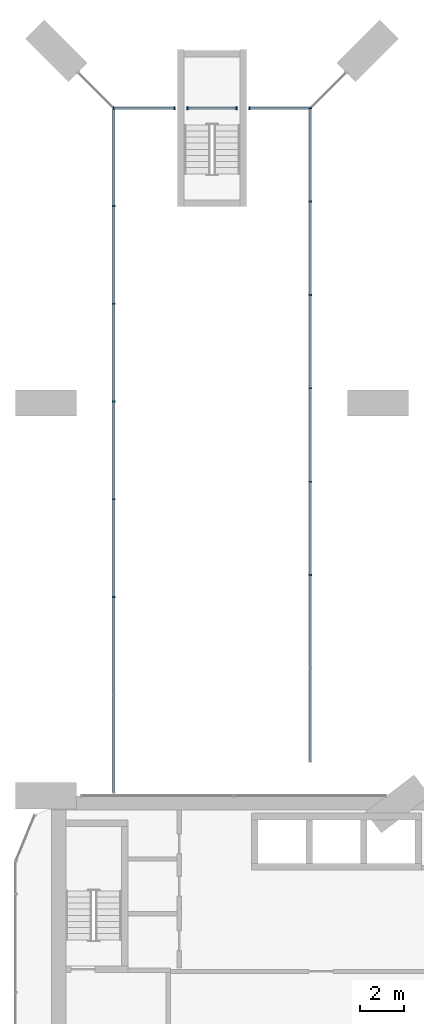
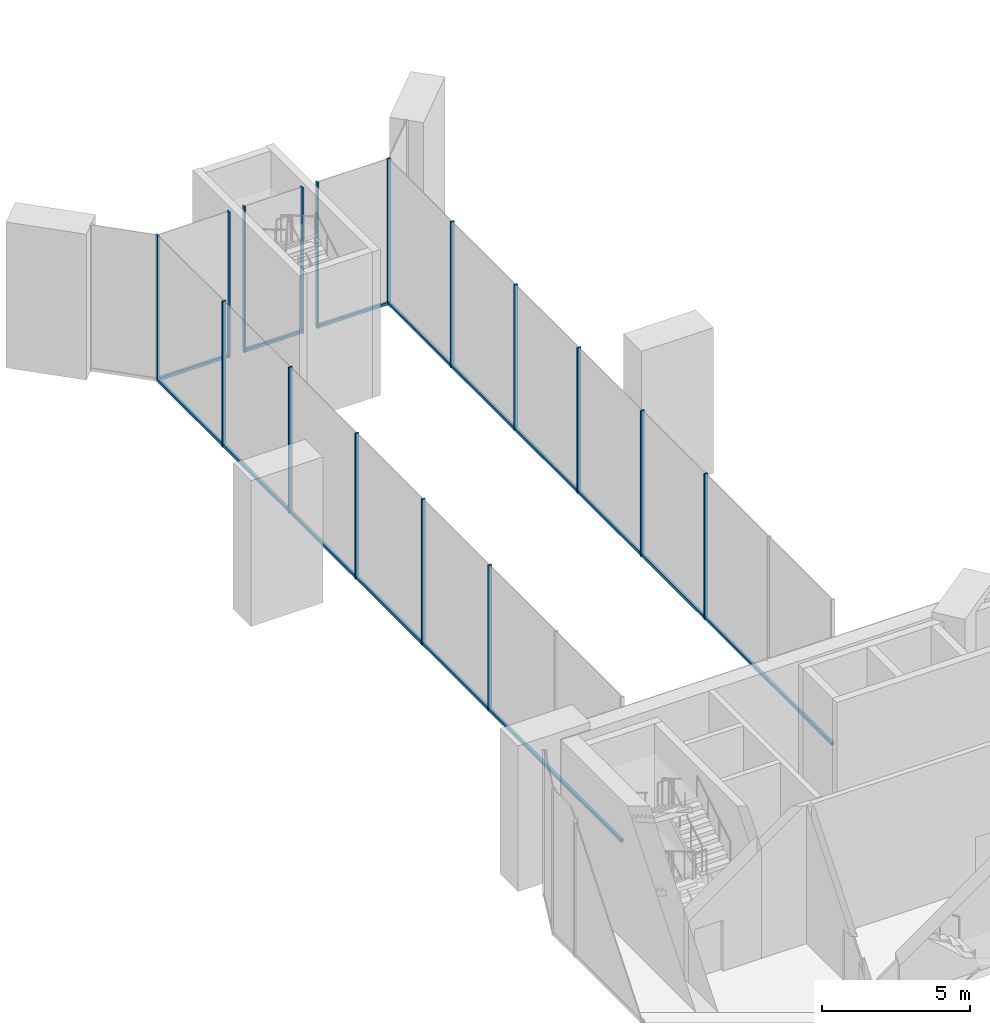
# One storey, part 6 of 19: 21 members, 5 elements without a shape of their own.
"""IFC4 building model written with IfcOpenShell, lengths in metres."""

from ifc_helpers import new_model, si_unit, direction, frame, origin, origin_2d, place, context, subcontext, project, spatial, rectangle, extrude, material, layer, layer_set, material_profile, profile_set, type_object, element, aggregate, save


model = new_model("IFC4")

# Units and contexts
model_context = context("Model", 3, precision=1e-05, world=origin(), true_north=direction((0.0, 1.0)))
body_context = subcontext(model_context, "Body", "Model", "MODEL_VIEW")
ifc_project = project(units=[si_unit("LENGTHUNIT", "METRE"), si_unit("AREAUNIT", "SQUARE_METRE"), si_unit("VOLUMEUNIT", "CUBIC_METRE"), si_unit("PLANEANGLEUNIT", "RADIAN"), si_unit("MASSUNIT", "GRAM", prefix="KILO")], contexts=[model_context])

# Site, building, storey
site_placement = place(None, origin())
site = spatial("IfcSite", under=ifc_project, at=site_placement, CompositionType="ELEMENT")
building_placement = place(site_placement, origin())
building = spatial("IfcBuilding", under=site, at=building_placement, Name="Plateau Cross Towers", CompositionType="ELEMENT")
storey_placement = place(building_placement, frame((0.0, 0.0, 128.60009765625)))
storey = spatial("IfcBuildingStorey", under=building, at=storey_placement, Name="L33", CompositionType="ELEMENT", Elevation=128.60009765625)

# Curtain wall, members
ifc_material_1 = material(Name="Dark low-iron glass", Category="glass")
ifc_layer = layer(ifc_material_1, 0.239990234375)
ifc_layer_set = layer_set([ifc_layer], Name="Dark low-iron glass")
curtain_wall_type = type_object("IfcCurtainWallType", Name="Curtain wall flush unitised CW-B", PredefinedType="NOTDEFINED", material=ifc_layer_set)
curtain_wall_1_placement = place(storey_placement, origin())
curtain_wall_1 = element("IfcCurtainWall", 1, at=curtain_wall_1_placement, inside=storey, type_object=curtain_wall_type, Name="ENV/A/L33/sky45_495_73_495", PredefinedType="NOTDEFINED")
ifc_material_2 = material(Name="Black anodised aluminium", Category="aluminium")
ifc_material_profile_1 = material_profile(ifc_material_2, rectangle(XDim=0.06005859375, YDim=0.139892578125, at=origin_2d()), Name="MULLION 60x140")
ifc_profile_set_1 = profile_set([ifc_material_profile_1], Name="Black anodised aluminium")
member_type_1 = type_object("IfcMemberType", Name="Mullion 60x140 flush unitised", PredefinedType="MULLION", material=ifc_profile_set_1)
member_1_placement = place(storey_placement, frame((4.5, 49.5, 0.0), z_axis=(0.0, 0.0, 1.0), x_axis=(1.0, 0.0, 0.0)))
member_1 = element("IfcMember", 2, at=member_1_placement, type_object=member_type_1, Name="CW-B mullion 1", PredefinedType="MULLION", context=body_context, shape_type="SweptSolid", body=[
    extrude(rectangle(XDim=0.06005859375, YDim=0.139892578125, at=origin_2d()), origin(), (0.0, 0.0, 1.0), 6.0),
])
member_2_placement = place(storey_placement, frame((7.27490234375, 49.5, 0.0), z_axis=(0.0, 0.0, 1.0), x_axis=(1.0, 0.0, 0.0)))
member_2 = element("IfcMember", 3, at=member_2_placement, type_object=member_type_1, Name="CW-B mullion 2", PredefinedType="MULLION", context=body_context, shape_type="SweptSolid", body=[
    extrude(rectangle(XDim=0.06005859375, YDim=0.139892578125, at=origin_2d()), origin(), (0.0, 0.0, 1.0), 6.0),
])

curtain_wall_2_placement = place(storey_placement, origin())
curtain_wall_2 = element("IfcCurtainWall", 4, at=curtain_wall_2_placement, inside=storey, type_object=curtain_wall_type, Name="ENV/A/L33/sky79_495_101_495", PredefinedType="NOTDEFINED")
member_3_placement = place(storey_placement, frame((7.875, 49.5, 0.0), z_axis=(0.0, 0.0, 1.0), x_axis=(1.0, 0.0, 0.0)))
member_3 = element("IfcMember", 5, at=member_3_placement, type_object=member_type_1, Name="CW-B mullion 1", PredefinedType="MULLION", context=body_context, shape_type="SweptSolid", body=[
    extrude(rectangle(XDim=0.06005859375, YDim=0.139892578125, at=origin_2d()), origin(), (0.0, 0.0, 1.0), 6.0),
])
member_4_placement = place(storey_placement, frame((10.125, 49.5, 0.0), z_axis=(0.0, 0.0, 1.0), x_axis=(1.0, 0.0, 0.0)))
member_4 = element("IfcMember", 6, at=member_4_placement, type_object=member_type_1, Name="CW-B mullion 2", PredefinedType="MULLION", context=body_context, shape_type="SweptSolid", body=[
    extrude(rectangle(XDim=0.06005859375, YDim=0.139892578125, at=origin_2d()), origin(), (0.0, 0.0, 1.0), 6.0),
])

# Curtain wall, member
curtain_wall_3_placement = place(storey_placement, origin())
curtain_wall_3 = element("IfcCurtainWall", 7, at=curtain_wall_3_placement, inside=storey, type_object=curtain_wall_type, Name="ENV/A/L33/sky107_495_135_495", PredefinedType="NOTDEFINED")
member_5_placement = place(storey_placement, frame((10.72509765625, 49.5, 0.0), z_axis=(0.0, 0.0, 1.0), x_axis=(1.0, 0.0, 0.0)))
member_5 = element("IfcMember", 8, at=member_5_placement, type_object=member_type_1, Name="CW-B mullion 1", PredefinedType="MULLION", context=body_context, shape_type="SweptSolid", body=[
    extrude(rectangle(XDim=0.06005859375, YDim=0.139892578125, at=origin_2d()), origin(), (0.0, 0.0, 1.0), 6.0),
])

# Curtain wall, members
curtain_wall_4_placement = place(storey_placement, origin())
curtain_wall_4 = element("IfcCurtainWall", 9, at=curtain_wall_4_placement, inside=storey, type_object=curtain_wall_type, Name="ENV/A/L33/sky135_495_135_196", PredefinedType="NOTDEFINED")
member_6_placement = place(storey_placement, frame((13.5, 49.5, 0.0), z_axis=(0.0, 0.0, 1.0), x_axis=(0.0, -1.0, 0.0)))
member_6 = element("IfcMember", 10, at=member_6_placement, type_object=member_type_1, Name="CW-B mullion 1", PredefinedType="MULLION", context=body_context, shape_type="SweptSolid", body=[
    extrude(rectangle(XDim=0.06005859375, YDim=0.139892578125, at=origin_2d()), origin(), (0.0, 0.0, 1.0), 6.0),
])
member_7_placement = place(storey_placement, frame((13.5, 45.22265625, 0.0), z_axis=(0.0, 0.0, 1.0), x_axis=(0.0, -1.0, 0.0)))
member_7 = element("IfcMember", 11, at=member_7_placement, type_object=member_type_1, Name="CW-B mullion 2", PredefinedType="MULLION", context=body_context, shape_type="SweptSolid", body=[
    extrude(rectangle(XDim=0.06005859375, YDim=0.139892578125, at=origin_2d()), origin(), (0.0, 0.0, 1.0), 6.0),
])
member_8_placement = place(storey_placement, frame((13.5, 40.945556640625, 0.0), z_axis=(0.0, 0.0, 1.0), x_axis=(0.0, -1.0, 0.0)))
member_8 = element("IfcMember", 12, at=member_8_placement, type_object=member_type_1, Name="CW-B mullion 3", PredefinedType="MULLION", context=body_context, shape_type="SweptSolid", body=[
    extrude(rectangle(XDim=0.06005859375, YDim=0.139892578125, at=origin_2d()), origin(), (0.0, 0.0, 1.0), 6.0),
])
member_9_placement = place(storey_placement, frame((13.5, 36.668212890625, 0.0), z_axis=(0.0, 0.0, 1.0), x_axis=(0.0, -1.0, 0.0)))
member_9 = element("IfcMember", 13, at=member_9_placement, type_object=member_type_1, Name="CW-B mullion 4", PredefinedType="MULLION", context=body_context, shape_type="SweptSolid", body=[
    extrude(rectangle(XDim=0.06005859375, YDim=0.139892578125, at=origin_2d()), origin(), (0.0, 0.0, 1.0), 6.0),
])
member_10_placement = place(storey_placement, frame((13.5, 32.39111328125, 0.0), z_axis=(0.0, 0.0, 1.0), x_axis=(0.0, -1.0, 0.0)))
member_10 = element("IfcMember", 14, at=member_10_placement, type_object=member_type_1, Name="CW-B mullion 5", PredefinedType="MULLION", context=body_context, shape_type="SweptSolid", body=[
    extrude(rectangle(XDim=0.06005859375, YDim=0.139892578125, at=origin_2d()), origin(), (0.0, 0.0, 1.0), 6.0),
])
member_11_placement = place(storey_placement, frame((13.5, 28.11376953125, 0.0), z_axis=(0.0, 0.0, 1.0), x_axis=(0.0, -1.0, 0.0)))
member_11 = element("IfcMember", 15, at=member_11_placement, type_object=member_type_1, Name="CW-B mullion 6", PredefinedType="MULLION", context=body_context, shape_type="SweptSolid", body=[
    extrude(rectangle(XDim=0.06005859375, YDim=0.139892578125, at=origin_2d()), origin(), (0.0, 0.0, 1.0), 6.0),
])

curtain_wall_5_placement = place(storey_placement, origin())
curtain_wall_5 = element("IfcCurtainWall", 16, at=curtain_wall_5_placement, inside=storey, type_object=curtain_wall_type, Name="ENV/A/L33/sky45_182_45_495", PredefinedType="NOTDEFINED")
member_12_placement = place(storey_placement, frame((4.5, 27.107177734375, 0.0), z_axis=(0.0, 0.0, 1.0), x_axis=(0.0, 1.0, 0.0)))
member_12 = element("IfcMember", 17, at=member_12_placement, type_object=member_type_1, Name="CW-B mullion 3", PredefinedType="MULLION", context=body_context, shape_type="SweptSolid", body=[
    extrude(rectangle(XDim=0.06005859375, YDim=0.139892578125, at=origin_2d()), origin(), (0.0, 0.0, 1.0), 6.0),
])
member_13_placement = place(storey_placement, frame((4.5, 31.585693359375, 0.0), z_axis=(0.0, 0.0, 1.0), x_axis=(0.0, 1.0, 0.0)))
member_13 = element("IfcMember", 18, at=member_13_placement, type_object=member_type_1, Name="CW-B mullion 4", PredefinedType="MULLION", context=body_context, shape_type="SweptSolid", body=[
    extrude(rectangle(XDim=0.06005859375, YDim=0.139892578125, at=origin_2d()), origin(), (0.0, 0.0, 1.0), 6.0),
])
member_14_placement = place(storey_placement, frame((4.5, 36.064208984375, 0.0), z_axis=(0.0, 0.0, 1.0), x_axis=(0.0, 1.0, 0.0)))
member_14 = element("IfcMember", 19, at=member_14_placement, type_object=member_type_1, Name="CW-B mullion 5", PredefinedType="MULLION", context=body_context, shape_type="SweptSolid", body=[
    extrude(rectangle(XDim=0.06005859375, YDim=0.139892578125, at=origin_2d()), origin(), (0.0, 0.0, 1.0), 6.0),
])
member_15_placement = place(storey_placement, frame((4.5, 40.54296875, 0.0), z_axis=(0.0, 0.0, 1.0), x_axis=(0.0, 1.0, 0.0)))
member_15 = element("IfcMember", 20, at=member_15_placement, type_object=member_type_1, Name="CW-B mullion 6", PredefinedType="MULLION", context=body_context, shape_type="SweptSolid", body=[
    extrude(rectangle(XDim=0.06005859375, YDim=0.139892578125, at=origin_2d()), origin(), (0.0, 0.0, 1.0), 6.0),
])
member_16_placement = place(storey_placement, frame((4.5, 45.021484375, 0.0), z_axis=(0.0, 0.0, 1.0), x_axis=(0.0, 1.0, 0.0)))
member_16 = element("IfcMember", 21, at=member_16_placement, type_object=member_type_1, Name="CW-B mullion 7", PredefinedType="MULLION", context=body_context, shape_type="SweptSolid", body=[
    extrude(rectangle(XDim=0.06005859375, YDim=0.139892578125, at=origin_2d()), origin(), (0.0, 0.0, 1.0), 6.0),
])

# Member
ifc_material_profile_2 = material_profile(ifc_material_2, rectangle(XDim=0.10009765625, YDim=0.1201171875, at=origin_2d()), Name="TRANSOM 100x120")
ifc_profile_set_2 = profile_set([ifc_material_profile_2], Name="Black anodised aluminium")
member_type_2 = type_object("IfcMemberType", Name="Transom 100x120 flush unitised", PredefinedType="USERDEFINED", material=ifc_profile_set_2)
member_17_placement = place(storey_placement, frame((4.5, 49.5, 0.059814453125), z_axis=(1.0, 0.0, 0.0), x_axis=(0.0, 1.0, 0.0)))
member_17 = element("IfcMember", 22, at=member_17_placement, type_object=member_type_2, Name="CW-B transom", ObjectType="TRANSOM", PredefinedType="USERDEFINED", context=body_context, shape_type="SweptSolid", body=[
    extrude(rectangle(XDim=0.10009765625, YDim=0.1201171875, at=origin_2d()), origin(), (0.0, 0.0, 1.0), 2.77490234375),
])

aggregate(curtain_wall_1, [member_1, member_2, member_17])

member_18_placement = place(storey_placement, frame((7.875, 49.5, 0.059814453125), z_axis=(1.0, 0.0, 0.0), x_axis=(0.0, 1.0, 0.0)))
member_18 = element("IfcMember", 23, at=member_18_placement, type_object=member_type_2, Name="CW-B transom", ObjectType="TRANSOM", PredefinedType="USERDEFINED", context=body_context, shape_type="SweptSolid", body=[
    extrude(rectangle(XDim=0.10009765625, YDim=0.1201171875, at=origin_2d()), origin(), (0.0, 0.0, 1.0), 2.25),
])

aggregate(curtain_wall_2, [member_3, member_4, member_18])

member_19_placement = place(storey_placement, frame((10.72509765625, 49.5, 0.059814453125), z_axis=(1.0, 0.0, 0.0), x_axis=(0.0, 1.0, 0.0)))
member_19 = element("IfcMember", 24, at=member_19_placement, type_object=member_type_2, Name="CW-B transom", ObjectType="TRANSOM", PredefinedType="USERDEFINED", context=body_context, shape_type="SweptSolid", body=[
    extrude(rectangle(XDim=0.10009765625, YDim=0.1201171875, at=origin_2d()), origin(), (0.0, 0.0, 1.0), 2.77490234375),
])

aggregate(curtain_wall_3, [member_5, member_19])

member_20_placement = place(storey_placement, frame((13.5, 49.5, 0.059814453125), z_axis=(0.0, -1.0, 0.0), x_axis=(1.0, 0.0, 0.0)))
member_20 = element("IfcMember", 25, at=member_20_placement, type_object=member_type_2, Name="CW-B transom", ObjectType="TRANSOM", PredefinedType="USERDEFINED", context=body_context, shape_type="SweptSolid", body=[
    extrude(rectangle(XDim=0.10009765625, YDim=0.1201171875, at=origin_2d()), origin(), (0.0, 0.0, 1.0), 29.940673828125),
])

aggregate(curtain_wall_4, [member_6, member_7, member_8, member_9, member_10, member_11, member_20])

member_21_placement = place(storey_placement, frame((4.5, 18.14990234375, 0.059814453125), z_axis=(0.0, 1.0, 0.0), x_axis=(-1.0, 0.0, 0.0)))
member_21 = element("IfcMember", 26, at=member_21_placement, type_object=member_type_2, Name="CW-B transom", ObjectType="TRANSOM", PredefinedType="USERDEFINED", context=body_context, shape_type="SweptSolid", body=[
    extrude(rectangle(XDim=0.10009765625, YDim=0.1201171875, at=origin_2d()), origin(), (0.0, 0.0, 1.0), 31.35009765625),
])

aggregate(curtain_wall_5, [member_12, member_13, member_14, member_15, member_16, member_21])

save(model, "model.ifc")
